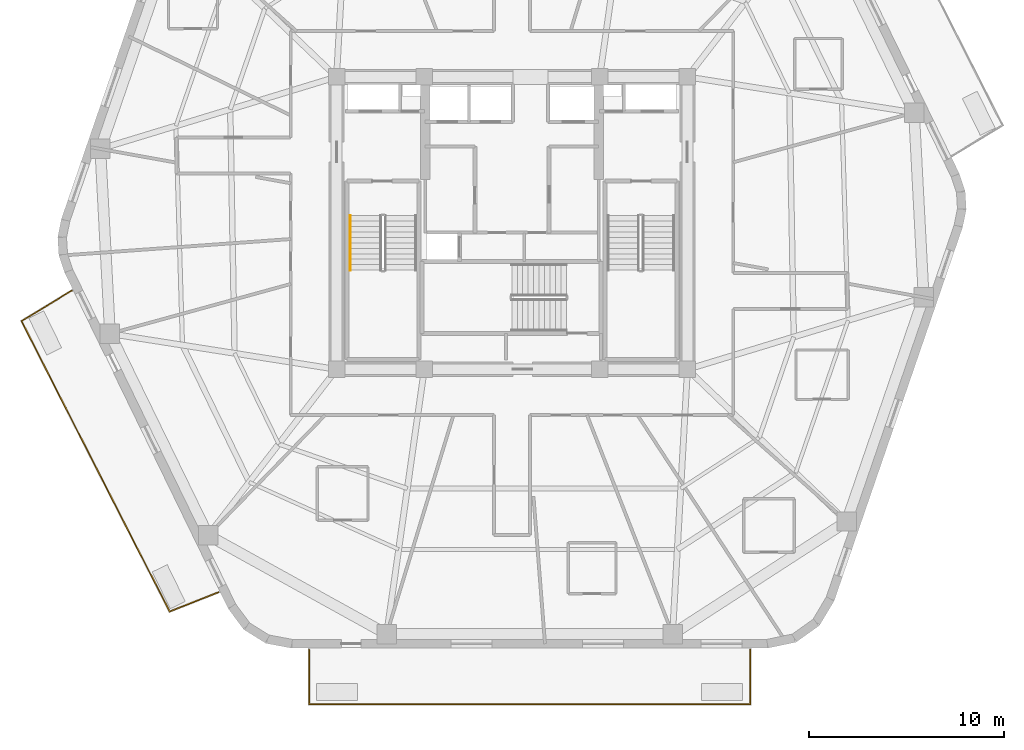
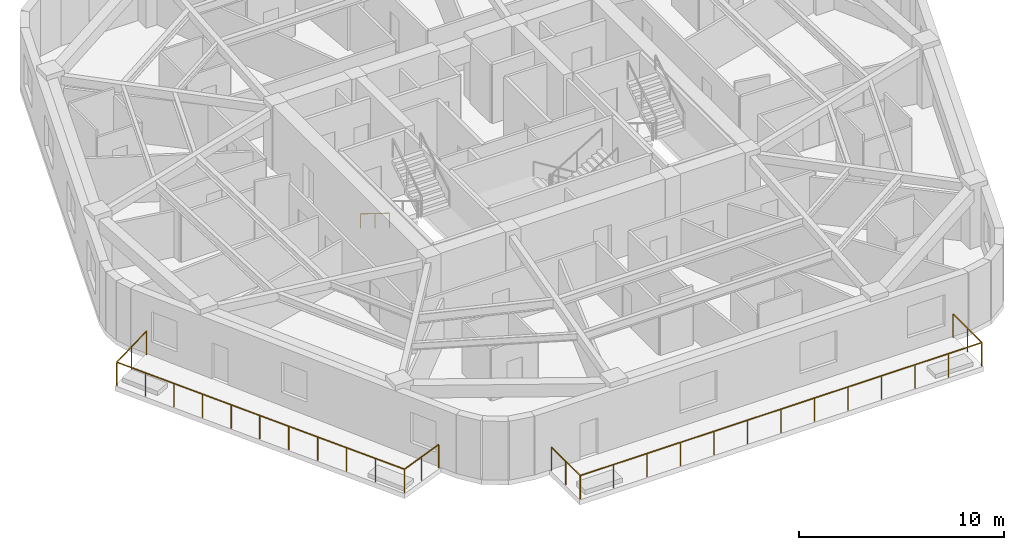
# One storey, part 8 of 10: 3 railings.
"""IFC4 building model written with IfcOpenShell, lengths in metres."""

from ifc_helpers import new_model, si_unit, direction, frame, origin, origin_2d, place, context, subcontext, project, spatial, rectangle, extrude, material, layer, layer_set, type_object, element, save


model = new_model("IFC4")

# Units and contexts
model_context = context("Model", 3, precision=1e-05, world=origin(), true_north=direction((0.0, 1.0)))
body_context = subcontext(model_context, "Body", "Model", "MODEL_VIEW")
ifc_project = project(units=[si_unit("LENGTHUNIT", "METRE"), si_unit("AREAUNIT", "SQUARE_METRE"), si_unit("VOLUMEUNIT", "CUBIC_METRE"), si_unit("PLANEANGLEUNIT", "RADIAN"), si_unit("MASSUNIT", "GRAM", prefix="KILO")], contexts=[model_context])

# Site, building, storey
site_placement = place(None, origin())
site = spatial("IfcSite", under=ifc_project, at=site_placement, CompositionType="ELEMENT")
building_placement = place(site_placement, origin())
building = spatial("IfcBuilding", under=site, at=building_placement, Name="Kilnhurst Terrace Hotel", CompositionType="ELEMENT")
storey_placement = place(building_placement, frame((0.0, 0.0, 217.89990234375)))
storey = spatial("IfcBuildingStorey", under=building, at=storey_placement, Name="L54", CompositionType="ELEMENT", Elevation=217.89990234375)

# Railings
ifc_material_1 = material(Name="Laminated SentryGlas and Stainless Steel AISI 316L Balustrade", Category="steel")
ifc_layer_1 = layer(ifc_material_1, 0.070068359375, Name="Laminated SentryGlas and Stainless Steel AISI 316L Balustrade")
ifc_layer_set_1 = layer_set([ifc_layer_1], Name="Laminated SentryGlas and Stainless Steel AISI 316L Balustrade")
railing_type_1 = type_object("IfcRailingType", Name="RLG-BAL-1420", PredefinedType="BALUSTRADE", material=ifc_layer_set_1)
railing_1_placement = place(storey_placement, frame((-15.0546875, -18.933349609375, 0.0)))
element("IfcRailing", 1, at=railing_1_placement, inside=storey, type_object=railing_type_1, Name="L54 Exterior Terrace Guardrail BAL-L2A.1", PredefinedType="BALUSTRADE", context=body_context, shape_type="SweptSolid", body=[
    extrude(rectangle(XDim=0.048095703125, YDim=0.048095703125, at=origin_2d()), frame((0.0, 0.0, 1.39599609375), z_axis=(-0.929913162101, -0.367779160574, 0.0), x_axis=(0.367779160574, -0.929913162101, 0.0)), (0.0, 0.0, 1.0), 2.694580078125),
    extrude(rectangle(XDim=0.048095703125, YDim=0.048095703125, at=origin_2d()), frame((-2.505615234375, -0.990966796875, 1.39599609375), z_axis=(-0.455129479154, 0.890425267614, 0.0), x_axis=(-0.890425267614, -0.455129479154, 0.0)), (0.0, 0.0, 1.0), 8.4072265625),
    extrude(rectangle(XDim=0.048095703125, YDim=0.048095703125, at=origin_2d()), frame((-6.33203125, 6.4951171875, 1.39599609375), z_axis=(-0.45338853952, 0.891312982196, 0.0), x_axis=(-0.891312982196, -0.45338853952, 0.0)), (0.0, 0.0, 1.0), 8.320068359375),
    extrude(rectangle(XDim=0.048095703125, YDim=0.048095703125, at=origin_2d()), frame((-10.104248046875, 13.910888671875, 1.39599609375), z_axis=(0.854990626614, 0.518643450168, 0.0), x_axis=(-0.518643450168, 0.854990626614, 0.0)), (0.0, 0.0, 1.0), 3.008056640625),
    extrude(rectangle(XDim=0.0419921875, YDim=0.0419921875, at=origin_2d()), origin(), (0.0, 0.0, 1.0), 1.371826171875),
    extrude(rectangle(XDim=0.0419921875, YDim=0.0419921875, at=origin_2d()), frame((-1.2529296875, -0.49560546875, 0.0)), (0.0, 0.0, 1.0), 1.371826171875),
    extrude(rectangle(XDim=0.0419921875, YDim=0.0419921875, at=origin_2d()), frame((-2.505615234375, -0.990966796875, 0.0)), (0.0, 0.0, 1.0), 1.371826171875),
    extrude(rectangle(XDim=0.0419921875, YDim=0.0419921875, at=origin_2d()), frame((-3.27099609375, 0.50634765625, 0.0)), (0.0, 0.0, 1.0), 1.371826171875),
    extrude(rectangle(XDim=0.0419921875, YDim=0.0419921875, at=origin_2d()), frame((-4.0361328125, 2.00341796875, 0.0)), (0.0, 0.0, 1.0), 1.371826171875),
    extrude(rectangle(XDim=0.0419921875, YDim=0.0419921875, at=origin_2d()), frame((-4.801513671875, 3.500732421875, 0.0)), (0.0, 0.0, 1.0), 1.371826171875),
    extrude(rectangle(XDim=0.0419921875, YDim=0.0419921875, at=origin_2d()), frame((-5.566650390625, 4.997802734375, 0.0)), (0.0, 0.0, 1.0), 1.371826171875),
    extrude(rectangle(XDim=0.0419921875, YDim=0.0419921875, at=origin_2d()), frame((-6.33203125, 6.4951171875, 0.0)), (0.0, 0.0, 1.0), 1.371826171875),
    extrude(rectangle(XDim=0.0419921875, YDim=0.0419921875, at=origin_2d()), frame((-7.08642578125, 7.978271484375, 0.0)), (0.0, 0.0, 1.0), 1.371826171875),
    extrude(rectangle(XDim=0.0419921875, YDim=0.0419921875, at=origin_2d()), frame((-7.8408203125, 9.46142578125, 0.0)), (0.0, 0.0, 1.0), 1.371826171875),
    extrude(rectangle(XDim=0.0419921875, YDim=0.0419921875, at=origin_2d()), frame((-8.595458984375, 10.944580078125, 0.0)), (0.0, 0.0, 1.0), 1.371826171875),
    extrude(rectangle(XDim=0.0419921875, YDim=0.0419921875, at=origin_2d()), frame((-9.349853515625, 12.427734375, 0.0)), (0.0, 0.0, 1.0), 1.371826171875),
    extrude(rectangle(XDim=0.0419921875, YDim=0.0419921875, at=origin_2d()), frame((-10.104248046875, 13.910888671875, 0.0)), (0.0, 0.0, 1.0), 1.371826171875),
    extrude(rectangle(XDim=0.0419921875, YDim=0.0419921875, at=origin_2d()), frame((-8.818359375, 14.69091796875, 0.0)), (0.0, 0.0, 1.0), 1.371826171875),
    extrude(rectangle(XDim=0.0419921875, YDim=0.0419921875, at=origin_2d()), frame((-7.532470703125, 15.470947265625, 0.0)), (0.0, 0.0, 1.0), 1.371826171875),
])
railing_2_placement = place(storey_placement, frame((12.21484375, -21.8798828125, 0.0)))
element("IfcRailing", 2, at=railing_2_placement, inside=storey, type_object=railing_type_1, Name="L54 Exterior Terrace Guardrail BAL-L2B.1", PredefinedType="BALUSTRADE", context=body_context, shape_type="SweptSolid", body=[
    extrude(rectangle(XDim=0.048095703125, YDim=0.048095703125, at=origin_2d()), frame((0.0, 0.0, 1.39599609375), z_axis=(0.0, -1.0, 0.0), x_axis=(1.0, 0.0, 0.0)), (0.0, 0.0, 1.0), 2.800048828125),
    extrude(rectangle(XDim=0.048095703125, YDim=0.048095703125, at=origin_2d()), frame((0.0, -2.800048828125, 1.39599609375), z_axis=(-1.0, 0.0, 0.0), x_axis=(0.0, -1.0, 0.0)), (0.0, 0.0, 1.0), 22.62353515625),
    extrude(rectangle(XDim=0.048095703125, YDim=0.048095703125, at=origin_2d()), frame((-22.62353515625, -2.800048828125, 1.39599609375), z_axis=(0.0, 1.0, 0.0), x_axis=(-1.0, 0.0, 0.0)), (0.0, 0.0, 1.0), 2.800048828125),
    extrude(rectangle(XDim=0.0419921875, YDim=0.0419921875, at=origin_2d()), origin(), (0.0, 0.0, 1.0), 1.371826171875),
    extrude(rectangle(XDim=0.0419921875, YDim=0.0419921875, at=origin_2d()), frame((0.0, -1.39990234375, 0.0)), (0.0, 0.0, 1.0), 1.371826171875),
    extrude(rectangle(XDim=0.0419921875, YDim=0.0419921875, at=origin_2d()), frame((0.0, -2.800048828125, 0.0)), (0.0, 0.0, 1.0), 1.371826171875),
    extrude(rectangle(XDim=0.0419921875, YDim=0.0419921875, at=origin_2d()), frame((-1.88525390625, -2.800048828125, 0.0)), (0.0, 0.0, 1.0), 1.371826171875),
    extrude(rectangle(XDim=0.0419921875, YDim=0.0419921875, at=origin_2d()), frame((-3.7705078125, -2.800048828125, 0.0)), (0.0, 0.0, 1.0), 1.371826171875),
    extrude(rectangle(XDim=0.0419921875, YDim=0.0419921875, at=origin_2d()), frame((-5.65576171875, -2.800048828125, 0.0)), (0.0, 0.0, 1.0), 1.371826171875),
    extrude(rectangle(XDim=0.0419921875, YDim=0.0419921875, at=origin_2d()), frame((-7.541259765625, -2.800048828125, 0.0)), (0.0, 0.0, 1.0), 1.371826171875),
    extrude(rectangle(XDim=0.0419921875, YDim=0.0419921875, at=origin_2d()), frame((-9.426513671875, -2.800048828125, 0.0)), (0.0, 0.0, 1.0), 1.371826171875),
    extrude(rectangle(XDim=0.0419921875, YDim=0.0419921875, at=origin_2d()), frame((-11.311767578125, -2.800048828125, 0.0)), (0.0, 0.0, 1.0), 1.371826171875),
    extrude(rectangle(XDim=0.0419921875, YDim=0.0419921875, at=origin_2d()), frame((-13.197021484375, -2.800048828125, 0.0)), (0.0, 0.0, 1.0), 1.371826171875),
    extrude(rectangle(XDim=0.0419921875, YDim=0.0419921875, at=origin_2d()), frame((-15.082275390625, -2.800048828125, 0.0)), (0.0, 0.0, 1.0), 1.371826171875),
    extrude(rectangle(XDim=0.0419921875, YDim=0.0419921875, at=origin_2d()), frame((-16.9677734375, -2.800048828125, 0.0)), (0.0, 0.0, 1.0), 1.371826171875),
    extrude(rectangle(XDim=0.0419921875, YDim=0.0419921875, at=origin_2d()), frame((-18.85302734375, -2.800048828125, 0.0)), (0.0, 0.0, 1.0), 1.371826171875),
    extrude(rectangle(XDim=0.0419921875, YDim=0.0419921875, at=origin_2d()), frame((-20.73828125, -2.800048828125, 0.0)), (0.0, 0.0, 1.0), 1.371826171875),
    extrude(rectangle(XDim=0.0419921875, YDim=0.0419921875, at=origin_2d()), frame((-22.62353515625, -2.800048828125, 0.0)), (0.0, 0.0, 1.0), 1.371826171875),
    extrude(rectangle(XDim=0.0419921875, YDim=0.0419921875, at=origin_2d()), frame((-22.62353515625, -1.39990234375, 0.0)), (0.0, 0.0, 1.0), 1.371826171875),
    extrude(rectangle(XDim=0.0419921875, YDim=0.0419921875, at=origin_2d()), frame((-22.62353515625, 0.0, 0.0)), (0.0, 0.0, 1.0), 1.371826171875),
])
ifc_material_2 = material(Name="Brushed Stainless Steel AISI 304", Category="steel")
ifc_layer_2 = layer(ifc_material_2, 0.048095703125, Name="Brushed Stainless Steel AISI 304")
ifc_layer_set_2 = layer_set([ifc_layer_2], Name="Brushed Stainless Steel AISI 304")
railing_type_2 = type_object("IfcRailingType", Name="RLG-ST-HRL-900", PredefinedType="HANDRAIL", material=ifc_layer_set_2)
railing_3_placement = place(storey_placement, frame((-8.300048828125, 0.389892578125, 0.1728515625)))
element("IfcRailing", 3, at=railing_3_placement, inside=storey, type_object=railing_type_2, Name="L54 ST-1 stair handrail 1", PredefinedType="HANDRAIL", context=body_context, shape_type="SweptSolid", body=[
    extrude(rectangle(XDim=0.048095703125, YDim=0.048095703125, at=origin_2d()), frame((0.0, 0.0, 0.8759765625), z_axis=(0.0, -0.851069175582, 0.525053576669), x_axis=(1.0, 0.0, 0.0)), (0.0, 0.0, 1.0), 3.289794921875),
    extrude(rectangle(XDim=0.0419921875, YDim=0.0419921875, at=origin_2d()), origin(), (0.0, 0.0, 1.0), 0.851806640625),
    extrude(rectangle(XDim=0.0419921875, YDim=0.0419921875, at=origin_2d()), frame((0.0, -1.39990234375, 0.86376953125)), (0.0, 0.0, 1.0), 0.851806640625),
    extrude(rectangle(XDim=0.0419921875, YDim=0.0419921875, at=origin_2d()), frame((0.0, -2.7998046875, 1.727294921875)), (0.0, 0.0, 1.0), 0.851806640625),
])

save(model, "model.ifc")
